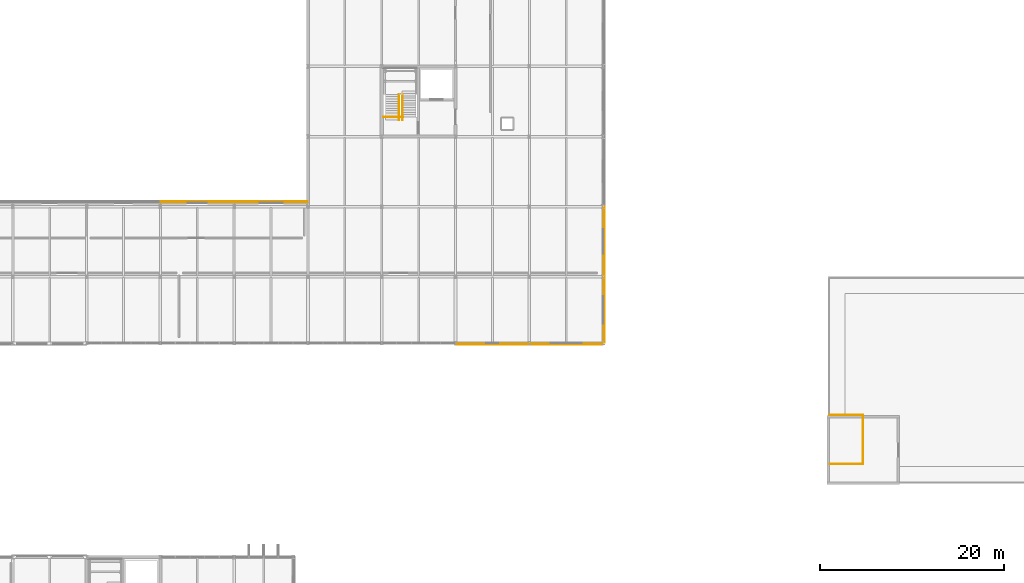
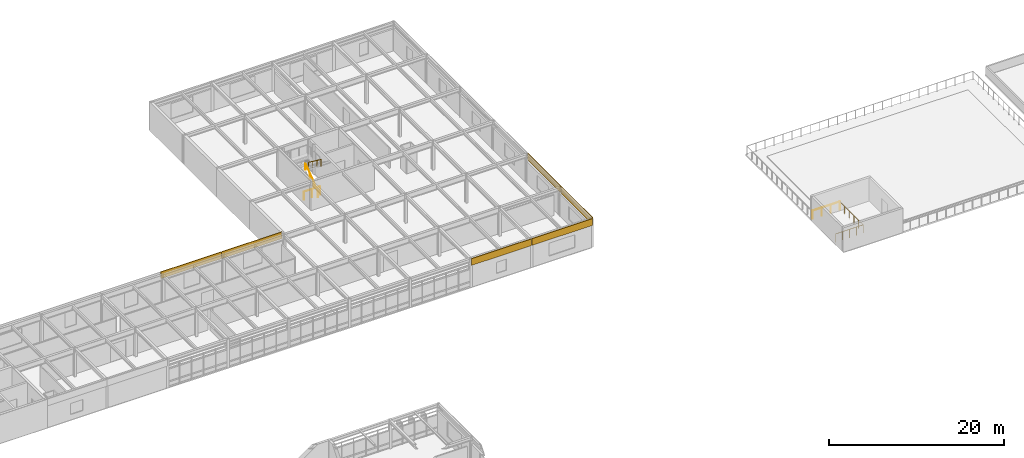
# One storey, part 43 of 45: 6 coverings, 5 railings.
"""IFC4 building model written with IfcOpenShell, lengths in metres."""

from ifc_helpers import new_model, si_unit, direction, frame, origin, origin_2d, place, context, subcontext, project, spatial, rectangle, circle, extrude, material, layer, layer_set, type_object, element, save


model = new_model("IFC4")

# Units and contexts
model_context = context("Model", 3, precision=1e-05, world=origin(), true_north=direction((0.0, 1.0)))
body_context = subcontext(model_context, "Body", "Model", "MODEL_VIEW")
ifc_project = project(units=[si_unit("LENGTHUNIT", "METRE"), si_unit("AREAUNIT", "SQUARE_METRE"), si_unit("VOLUMEUNIT", "CUBIC_METRE"), si_unit("PLANEANGLEUNIT", "RADIAN"), si_unit("MASSUNIT", "GRAM", prefix="KILO")], contexts=[model_context])

# Site, building, storey
site_placement = place(None, origin())
site = spatial("IfcSite", under=ifc_project, at=site_placement, CompositionType="ELEMENT")
building_placement = place(site_placement, origin())
building = spatial("IfcBuilding", under=site, at=building_placement, Name="Zulena Civic Courthouse", CompositionType="ELEMENT")
storey_placement = place(building_placement, frame((0.0, 0.0, 29.39990234375)))
storey = spatial("IfcBuildingStorey", under=building, at=storey_placement, Name="L06", CompositionType="ELEMENT", Elevation=29.39990234375)

# Railings
ifc_material_1 = material(Name="Brushed architectural steel ASTM A36", Category="steel")
railing_type_1 = type_object("IfcRailingType", Name="InteriorGuardrail_1150", PredefinedType="GUARDRAIL", material=ifc_material_1)
railing_1_placement = place(storey_placement, frame((124.60009765625, 38.2099609375, 0.0)))
element("IfcRailing", 1, at=railing_1_placement, inside=storey, type_object=railing_type_1, Name="gr:wellN:K3A:L05", PredefinedType="GUARDRAIL", context=body_context, shape_type="SweptSolid", body=[
    extrude(circle(Radius=0.02392578125, at=origin_2d()), frame((0.00390625, 0.0, 1.1259765625), z_axis=(1.0, 0.0, 0.0), x_axis=(0.0, 1.0, 0.0)), (0.0, 0.0, 1.0), 3.591796875),
    extrude(circle(Radius=0.02099609375, at=origin_2d()), origin(), (0.0, 0.0, 1.0), 1.097900390625),
    extrude(circle(Radius=0.02099609375, at=origin_2d()), frame((1.199951171875, 0.0, 0.0)), (0.0, 0.0, 1.0), 1.097900390625),
    extrude(circle(Radius=0.02099609375, at=origin_2d()), frame((2.39990234375, 0.0, 0.0)), (0.0, 0.0, 1.0), 1.097900390625),
    extrude(circle(Radius=0.02099609375, at=origin_2d()), frame((3.599853515625, 0.0, 0.0)), (0.0, 0.0, 1.0), 1.097900390625),
])
railing_2_placement = place(storey_placement, frame((128.199951171875, 38.219970703125, 0.0)))
element("IfcRailing", 2, at=railing_2_placement, inside=storey, type_object=railing_type_1, Name="gr:topwell:K3A:L05", PredefinedType="GUARDRAIL", context=body_context, shape_type="SweptSolid", body=[
    extrude(circle(Radius=0.02392578125, at=origin_2d()), frame((0.0, -0.00390625, 1.1259765625), z_axis=(0.0, -1.0, 0.0), x_axis=(1.0, 0.0, 0.0)), (0.0, 0.0, 1.0), 5.33203125),
    extrude(circle(Radius=0.02392578125, at=origin_2d()), frame((-0.00390625, -5.340087890625, 1.1259765625), z_axis=(-1.0, 0.0, 0.0), x_axis=(0.0, -1.0, 0.0)), (0.0, 0.0, 1.0), 3.61181640625),
    extrude(circle(Radius=0.02099609375, at=origin_2d()), origin(), (0.0, 0.0, 1.0), 1.097900390625),
    extrude(circle(Radius=0.02099609375, at=origin_2d()), frame((0.0, -1.068115234375, 0.0)), (0.0, 0.0, 1.0), 1.097900390625),
    extrude(circle(Radius=0.02099609375, at=origin_2d()), frame((0.0, -2.135986328125, 0.0)), (0.0, 0.0, 1.0), 1.097900390625),
    extrude(circle(Radius=0.02099609375, at=origin_2d()), frame((0.0, -3.2041015625, 0.0)), (0.0, 0.0, 1.0), 1.097900390625),
    extrude(circle(Radius=0.02099609375, at=origin_2d()), frame((0.0, -4.27197265625, 0.0)), (0.0, 0.0, 1.0), 1.097900390625),
    extrude(circle(Radius=0.02099609375, at=origin_2d()), frame((0.0, -5.340087890625, 0.0)), (0.0, 0.0, 1.0), 1.097900390625),
    extrude(circle(Radius=0.02099609375, at=origin_2d()), frame((-0.905029296875, -5.340087890625, 0.0)), (0.0, 0.0, 1.0), 1.097900390625),
    extrude(circle(Radius=0.02099609375, at=origin_2d()), frame((-1.81005859375, -5.340087890625, 0.0)), (0.0, 0.0, 1.0), 1.097900390625),
    extrude(circle(Radius=0.02099609375, at=origin_2d()), frame((-2.71484375, -5.340087890625, 0.0)), (0.0, 0.0, 1.0), 1.097900390625),
    extrude(circle(Radius=0.02099609375, at=origin_2d()), frame((-3.619873046875, -5.340087890625, 0.0)), (0.0, 0.0, 1.0), 1.097900390625),
])
railing_3_placement = place(storey_placement, frame((76.179931640625, 70.5, 0.0)))
element("IfcRailing", 3, at=railing_3_placement, inside=storey, type_object=railing_type_1, Name="gr:wells:K5B:L06", PredefinedType="GUARDRAIL", context=body_context, shape_type="SweptSolid", body=[
    extrude(circle(Radius=0.02392578125, at=origin_2d()), frame((0.00390625, 0.0, 1.1259765625), z_axis=(1.0, 0.0, 0.0), x_axis=(0.0, 1.0, 0.0)), (0.0, 0.0, 1.0), 2.112060546875),
    extrude(circle(Radius=0.02099609375, at=origin_2d()), origin(), (0.0, 0.0, 1.0), 1.097900390625),
    extrude(circle(Radius=0.02099609375, at=origin_2d()), frame((1.06005859375, 0.0, 0.0)), (0.0, 0.0, 1.0), 1.097900390625),
    extrude(circle(Radius=0.02099609375, at=origin_2d()), frame((2.1201171875, 0.0, 0.0)), (0.0, 0.0, 1.0), 1.097900390625),
])

# Coverings
ifc_material_2 = material(Name="White architectural precast concrete C40/50", Category="concrete")
ifc_layer = layer(ifc_material_2, 0.0849609375)
ifc_layer_set = layer_set([ifc_layer], Name="White architectural precast concrete C40/50")
covering_type = type_object("IfcCoveringType", Name="PrecastSpandrelCladding_85", PredefinedType="CLADDING", material=ifc_layer_set)
for number, where, z_axis, x_axis, name in (
    (4, (56.0, 61.320068359375, 3.06005859375), (0.0, 0.0, 1.0), (1.0, 0.0, 0.0), "clad:sp:V5:L06:1:5"),
    (5, (64.0, 61.320068359375, 3.06005859375), (0.0, 0.0, 1.0), (1.0, 0.0, 0.0), "clad:sp:V5:L06:1:6"),
):
    element("IfcCovering", number, at=place(storey_placement, frame(where, z_axis=z_axis, x_axis=x_axis)), inside=storey, type_object=covering_type, Name=name, PredefinedType="CLADDING", context=body_context, shape_type="SweptSolid", body=[
        extrude(rectangle(XDim=7.9599609375, YDim=0.0849609375, at=origin_2d()), origin(), (0.0, 0.0, 1.0), 0.93994140625),
    ])
covering_1_placement = place(storey_placement, frame((100.1201171875, 57.0, 3.06005859375), z_axis=(0.0, 0.0, 1.0), x_axis=(0.0, -1.0, 0.0)))
element("IfcCovering", 6, at=covering_1_placement, inside=storey, type_object=covering_type, Name="clad:sp:V5:L06:4:4", PredefinedType="CLADDING", context=body_context, shape_type="SweptSolid", body=[
    extrude(rectangle(XDim=7.56005859375, YDim=0.0849609375, at=origin_2d()), origin(), (0.0, 0.0, 1.0), 0.93994140625),
])
covering_2_placement = place(storey_placement, frame((100.1201171875, 49.60009765625, 3.06005859375), z_axis=(0.0, 0.0, 1.0), x_axis=(0.0, -1.0, 0.0)))
element("IfcCovering", 7, at=covering_2_placement, inside=storey, type_object=covering_type, Name="clad:sp:V5:L06:4:5", PredefinedType="CLADDING", context=body_context, shape_type="SweptSolid", body=[
    extrude(rectangle(XDim=7.159912109375, YDim=0.0849609375, at=origin_2d()), origin(), (0.0, 0.0, 1.0), 0.93994140625),
])
for number, where, z_axis, x_axis, name in (
    (8, (96.0, 45.8798828125, 3.06005859375), (0.0, 0.0, 1.0), (-1.0, 0.0, 0.0), "clad:sp:V5:L06:5:0"),
    (9, (88.0, 45.8798828125, 3.06005859375), (0.0, 0.0, 1.0), (-1.0, 0.0, 0.0), "clad:sp:V5:L06:5:1"),
):
    element("IfcCovering", number, at=place(storey_placement, frame(where, z_axis=z_axis, x_axis=x_axis)), inside=storey, type_object=covering_type, Name=name, PredefinedType="CLADDING", context=body_context, shape_type="SweptSolid", body=[
        extrude(rectangle(XDim=7.9599609375, YDim=0.0849609375, at=origin_2d()), origin(), (0.0, 0.0, 1.0), 0.93994140625),
    ])

# Railings
railing_type_2 = type_object("IfcRailingType", Name="StairHandrail_920", PredefinedType="HANDRAIL", material=ifc_material_1)
railing_4_placement = place(storey_placement, frame((77.85009765625, 70.179931640625, 0.0)))
element("IfcRailing", 10, at=railing_4_placement, inside=storey, type_object=railing_type_2, Name="hr:K5B:L06:1", PredefinedType="HANDRAIL", context=body_context, shape_type="SweptSolid", body=[
    extrude(circle(Radius=0.02392578125, at=origin_2d()), frame((0.0, 0.003173828125, 0.898193359375), z_axis=(0.0, 0.800467996722, 0.599375496849), x_axis=(-1.0, 0.0, 0.0)), (0.0, 0.0, 1.0), 3.495849609375),
    extrude(circle(Radius=0.02099609375, at=origin_2d()), origin(), (0.0, 0.0, 1.0), 0.867919921875),
    extrude(circle(Radius=0.02099609375, at=origin_2d()), frame((0.0, 0.934814453125, 0.699951171875)), (0.0, 0.0, 1.0), 0.867919921875),
    extrude(circle(Radius=0.02099609375, at=origin_2d()), frame((0.0, 1.869873046875, 1.400146484375)), (0.0, 0.0, 1.0), 0.867919921875),
    extrude(circle(Radius=0.02099609375, at=origin_2d()), frame((0.0, 2.8046875, 2.10009765625)), (0.0, 0.0, 1.0), 0.867919921875),
])
railing_5_placement = place(storey_placement, frame((78.25, 72.984619140625, 2.10009765625)))
element("IfcRailing", 11, at=railing_5_placement, inside=storey, type_object=railing_type_2, Name="hr:K5B:L06:2", PredefinedType="HANDRAIL", context=body_context, shape_type="SweptSolid", body=[
    extrude(circle(Radius=0.02392578125, at=origin_2d()), frame((0.0, -0.003173828125, 0.898193359375), z_axis=(0.0, -0.800467996722, 0.599375496849), x_axis=(1.0, 0.0, 0.0)), (0.0, 0.0, 1.0), 3.495849609375),
    extrude(circle(Radius=0.02099609375, at=origin_2d()), origin(), (0.0, 0.0, 1.0), 0.867919921875),
    extrude(circle(Radius=0.02099609375, at=origin_2d()), frame((0.0, -0.934814453125, 0.699951171875)), (0.0, 0.0, 1.0), 0.867919921875),
    extrude(circle(Radius=0.02099609375, at=origin_2d()), frame((0.0, -1.869873046875, 1.400146484375)), (0.0, 0.0, 1.0), 0.867919921875),
    extrude(circle(Radius=0.02099609375, at=origin_2d()), frame((0.0, -2.8046875, 2.10009765625)), (0.0, 0.0, 1.0), 0.867919921875),
])

save(model, "model.ifc")
